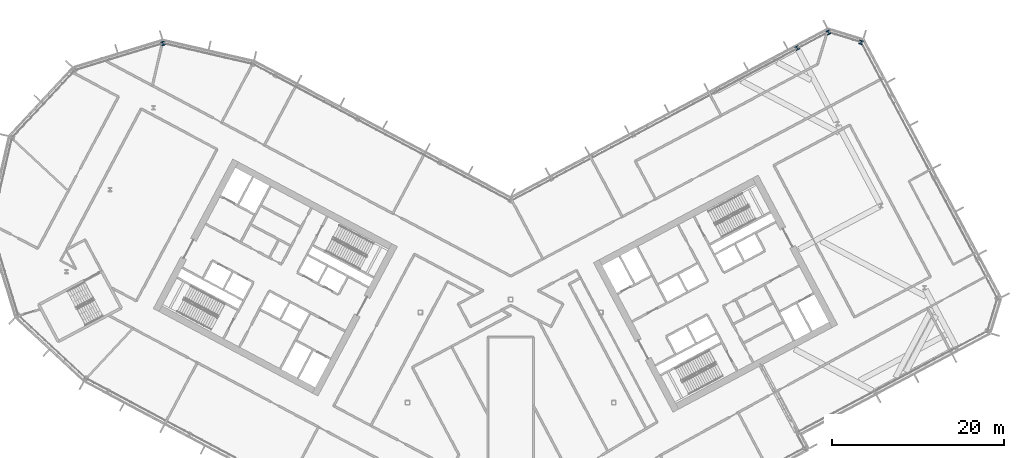
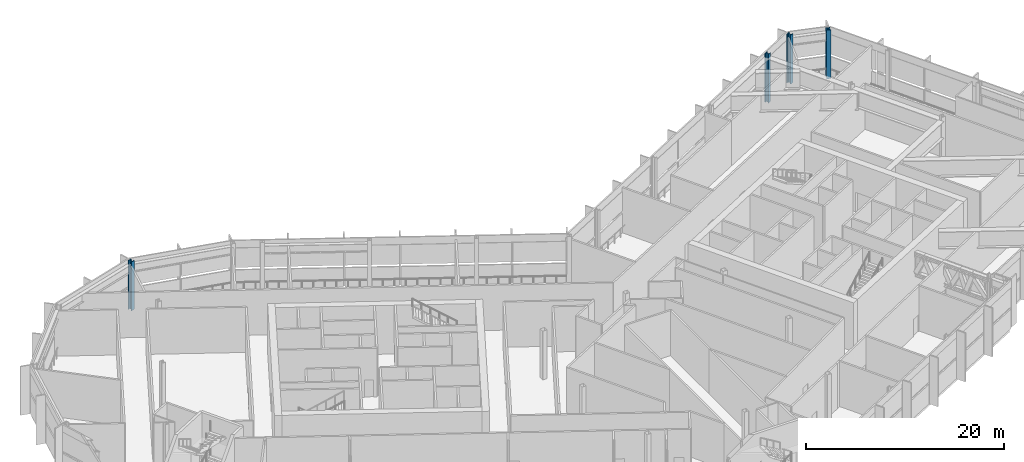
# One storey, part 8 of 33: 4 columns.
"""IFC4 building model written with IfcOpenShell, lengths in metres."""

from ifc_helpers import new_model, si_unit, direction, frame, origin, origin_2d, place, context, subcontext, project, spatial, i_section, extrude, material, material_profile, profile_set, type_object, element, save


model = new_model("IFC4")

# Units and contexts
model_context = context("Model", 3, precision=1e-05, world=origin(), true_north=direction((0.0, 1.0)))
body_context = subcontext(model_context, "Body", "Model", "MODEL_VIEW")
ifc_project = project(units=[si_unit("LENGTHUNIT", "METRE"), si_unit("AREAUNIT", "SQUARE_METRE"), si_unit("VOLUMEUNIT", "CUBIC_METRE"), si_unit("PLANEANGLEUNIT", "RADIAN"), si_unit("MASSUNIT", "GRAM", prefix="KILO")], contexts=[model_context])

# Site, building, storey
site_placement = place(None, origin())
site = spatial("IfcSite", under=ifc_project, at=site_placement, CompositionType="ELEMENT")
building_placement = place(site_placement, origin())
building = spatial("IfcBuilding", under=site, at=building_placement, Name="Cormorant Relay Tower", CompositionType="ELEMENT")
storey_placement = place(building_placement, frame((0.0, 0.0, 183.60009765625)))
storey = spatial("IfcBuildingStorey", under=building, at=storey_placement, Name="L39", CompositionType="ELEMENT", Elevation=183.60009765625)

# Columns
ifc_material_1 = material(Name="Steel ASTM A992 (Fy 345 MPa)", Category="steel")
ifc_material_profile_1 = material_profile(ifc_material_1, i_section(OverallWidth=0.41162109375, OverallDepth=0.434326171875, WebThickness=0.035888671875, FlangeThickness=0.057373046875, FilletRadius=0.01513671875, at=origin_2d()), Name="W360x463")
ifc_profile_set_1 = profile_set([ifc_material_profile_1], Name="Steel ASTM A992 (Fy 345 MPa)")
column_type_1 = type_object("IfcColumnType", Name="Column W360x463", PredefinedType="COLUMN", material=ifc_profile_set_1)
column_placement = place(storey_placement, frame((33.33203125, 41.258056640625, 0.0), z_axis=(0.0, 0.0, 1.0), x_axis=(-0.882947592859, -0.469471562786, 0.0)))
element("IfcColumn", 1, at=column_placement, inside=storey, type_object=column_type_1, Name="Column L39-047", PredefinedType="COLUMN", context=body_context, shape_type="SweptSolid", body=[
    extrude(i_section(OverallWidth=0.41162109375, OverallDepth=0.434326171875, WebThickness=0.035888671875, FlangeThickness=0.057373046875, FilletRadius=0.01513671875, at=origin_2d()), origin(), (0.0, 0.0, 1.0), 6.0),
])
ifc_material_2 = material(Name="Steel ASTM A992 (Fy 345 MPa)", Category="steel")
ifc_material_profile_2 = material_profile(ifc_material_2, i_section(OverallWidth=0.42431640625, OverallDepth=0.47509765625, WebThickness=0.0478515625, FlangeThickness=0.0771484375, FilletRadius=0.014892578125, at=origin_2d()), Name="W360x634")
ifc_profile_set_2 = profile_set([ifc_material_profile_2], Name="Steel ASTM A992 (Fy 345 MPa)")
column_type_2 = type_object("IfcColumnType", Name="Column W360x634", PredefinedType="COLUMN", material=ifc_profile_set_2)
for number, where, z_axis, x_axis, name in (
    (2, (-40.4541015625, 41.783935546875, 0.0), (0.0, 0.0, 1.0), (-0.956304755963, -0.292371704723, 0.0), "Column L39-048"),
    (3, (40.77197265625, 41.9130859375, 0.0), (0.0, 0.0, 1.0), (-0.956304755963, 0.292371704723, 0.0), "Column L39-049"),
    (4, (36.970947265625, 43.075927734375, 0.0), (0.0, 0.0, 1.0), (-0.882947592859, -0.469471562786, 0.0), "Column L39-050"),
):
    element("IfcColumn", number, at=place(storey_placement, frame(where, z_axis=z_axis, x_axis=x_axis)), inside=storey, type_object=column_type_2, Name=name, PredefinedType="COLUMN", context=body_context, shape_type="SweptSolid", body=[
        extrude(i_section(OverallWidth=0.42431640625, OverallDepth=0.47509765625, WebThickness=0.0478515625, FlangeThickness=0.0771484375, FilletRadius=0.014892578125, at=origin_2d()), origin(), (0.0, 0.0, 1.0), 6.0),
    ])

save(model, "model.ifc")
